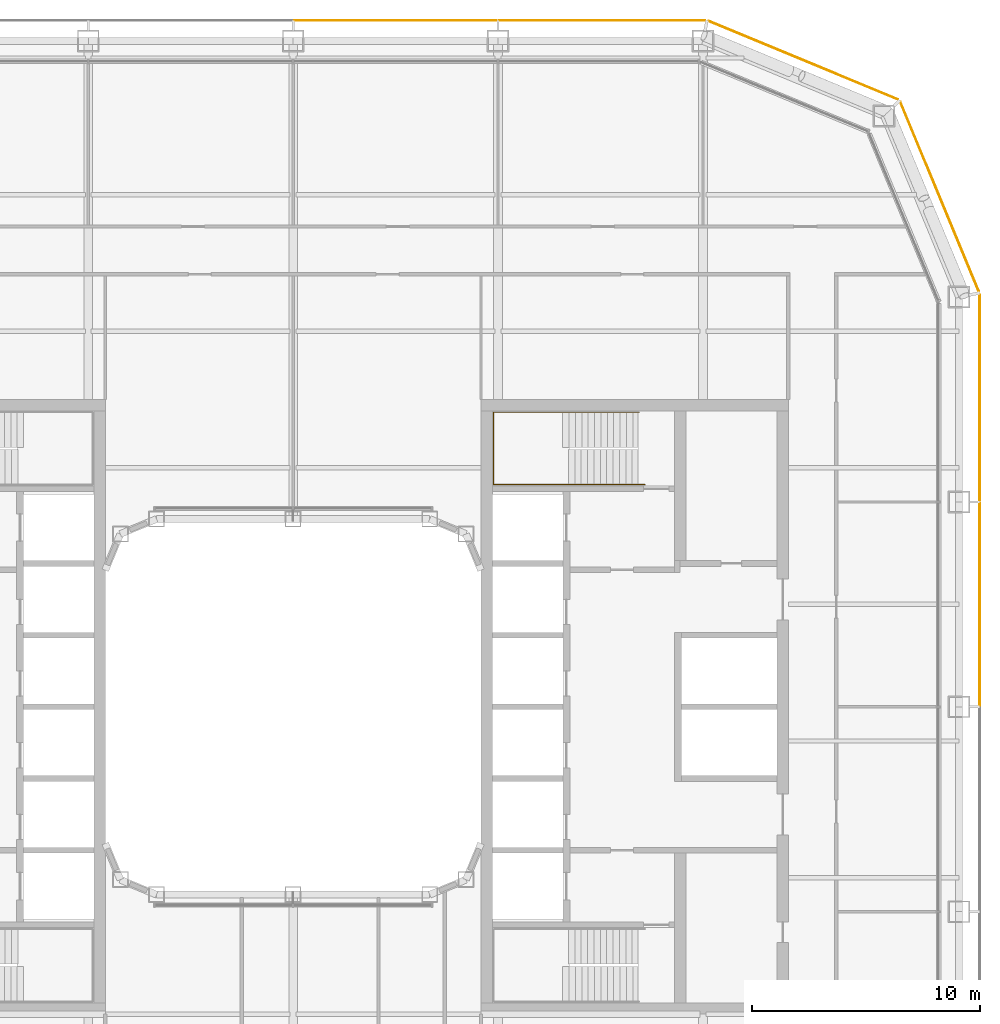
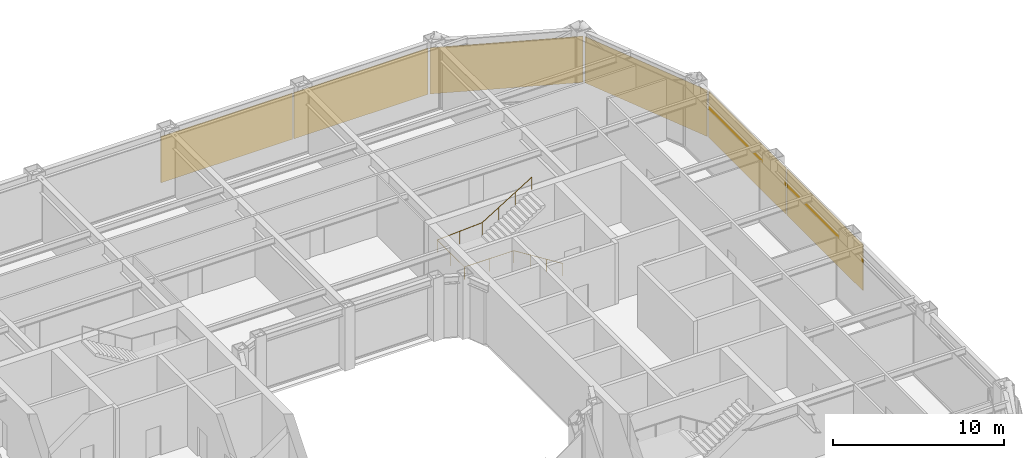
# One storey, part 21 of 21: 6 coverings, 1 railing.
"""IFC4 building model written with IfcOpenShell, lengths in metres."""

from ifc_helpers import new_model, si_unit, direction, frame, origin, origin_2d, place, context, subcontext, project, spatial, rectangle, circle, extrude, material, layer, layer_set, type_object, element, save


model = new_model("IFC4")

# Units and contexts
model_context = context("Model", 3, precision=1e-05, world=origin(), true_north=direction((0.0, 1.0)))
body_context = subcontext(model_context, "Body", "Model", "MODEL_VIEW")
ifc_project = project(units=[si_unit("LENGTHUNIT", "METRE"), si_unit("AREAUNIT", "SQUARE_METRE"), si_unit("VOLUMEUNIT", "CUBIC_METRE"), si_unit("PLANEANGLEUNIT", "RADIAN"), si_unit("MASSUNIT", "GRAM", prefix="KILO")], contexts=[model_context])

# Site, building, storey
site_placement = place(None, origin())
site = spatial("IfcSite", under=ifc_project, at=site_placement, CompositionType="ELEMENT")
building_placement = place(site_placement, origin())
building = spatial("IfcBuilding", under=site, at=building_placement, Name="Siwar Civic Tower", CompositionType="ELEMENT")
storey_placement = place(building_placement, frame((0.0, 0.0, 140.699951171875)))
storey = spatial("IfcBuildingStorey", under=building, at=storey_placement, Name="L30", CompositionType="ELEMENT", Elevation=140.699951171875)

# Railing
ifc_material_1 = material(Name="Stainless steel", Category="steel")
railing_type = type_object("IfcRailingType", Name="CORE-STAIR-HANDRAIL", PredefinedType="HANDRAIL", material=ifc_material_1)
railing_placement = place(storey_placement, frame((15.449951171875, 9.758056640625, 0.173095703125)))
element("IfcRailing", 1, at=railing_placement, inside=storey, type_object=railing_type, Name="Stair handrail ST3", PredefinedType="HANDRAIL", context=body_context, shape_type="SweptSolid", body=[
    extrude(circle(Radius=0.02001953125, at=origin_2d()), frame((0.0, 0.0, 0.8798828125), z_axis=(-0.847063342986, 0.0, 0.531491950051), x_axis=(0.0, -1.0, 0.0)), (0.0, 0.0, 1.0), 3.90771484375),
    extrude(circle(Radius=0.02001953125, at=origin_2d()), frame((-3.31005859375, 0.0, 2.956787109375), z_axis=(-1.0, 0.0, 0.0), x_axis=(0.0, -1.0, 0.0)), (0.0, 0.0, 1.0), 3.331787109375),
    extrude(circle(Radius=0.02001953125, at=origin_2d()), frame((-6.641845703125, 0.0, 2.956787109375), z_axis=(0.0, 1.0, 0.0), x_axis=(-1.0, 0.0, 0.0)), (0.0, 0.0, 1.0), 3.183837890625),
    extrude(circle(Radius=0.02001953125, at=origin_2d()), frame((-6.641845703125, 3.183837890625, 2.956787109375), z_axis=(0.99837434197, 0.0, 0.056997134106), x_axis=(0.0, 1.0, 0.0)), (0.0, 0.0, 1.0), 3.036865234375),
    extrude(circle(Radius=0.02001953125, at=origin_2d()), frame((-3.60986328125, 3.183837890625, 3.1298828125), z_axis=(0.850606129759, 0.0, 0.525803396734), x_axis=(0.0, 1.0, 0.0)), (0.0, 0.0, 1.0), 3.949951171875),
    extrude(circle(Radius=0.02001953125, at=origin_2d()), origin(), (0.0, 0.0, 1.0), 0.85986328125),
    extrude(circle(Radius=0.02001953125, at=origin_2d()), frame((-1.103271484375, 0.0, 0.6923828125)), (0.0, 0.0, 1.0), 0.85986328125),
    extrude(circle(Radius=0.02001953125, at=origin_2d()), frame((-2.206787109375, 0.0, 1.384521484375)), (0.0, 0.0, 1.0), 0.85986328125),
    extrude(circle(Radius=0.02001953125, at=origin_2d()), frame((-3.31005859375, 0.0, 2.076904296875)), (0.0, 0.0, 1.0), 0.85986328125),
    extrude(circle(Radius=0.02001953125, at=origin_2d()), frame((-4.97607421875, 0.0, 2.076904296875)), (0.0, 0.0, 1.0), 0.85986328125),
    extrude(circle(Radius=0.02001953125, at=origin_2d()), frame((-6.641845703125, 0.0, 2.076904296875)), (0.0, 0.0, 1.0), 0.85986328125),
    extrude(circle(Radius=0.02001953125, at=origin_2d()), frame((-6.641845703125, 1.591796875, 2.076904296875)), (0.0, 0.0, 1.0), 0.85986328125),
    extrude(circle(Radius=0.02001953125, at=origin_2d()), frame((-6.641845703125, 3.183837890625, 2.076904296875)), (0.0, 0.0, 1.0), 0.85986328125),
    extrude(circle(Radius=0.02001953125, at=origin_2d()), frame((-5.1259765625, 3.183837890625, 2.16357421875)), (0.0, 0.0, 1.0), 0.85986328125),
    extrude(circle(Radius=0.02001953125, at=origin_2d()), frame((-3.60986328125, 3.183837890625, 2.25)), (0.0, 0.0, 1.0), 0.85986328125),
    extrude(circle(Radius=0.02001953125, at=origin_2d()), frame((-2.489990234375, 3.183837890625, 2.9423828125)), (0.0, 0.0, 1.0), 0.85986328125),
    extrude(circle(Radius=0.02001953125, at=origin_2d()), frame((-1.369873046875, 3.183837890625, 3.634521484375)), (0.0, 0.0, 1.0), 0.85986328125),
    extrude(circle(Radius=0.02001953125, at=origin_2d()), frame((-0.25, 3.183837890625, 4.326904296875)), (0.0, 0.0, 1.0), 0.85986328125),
])

# Coverings
ifc_material_2 = material(Name="Perforated aluminium cassette, pale metal", Category="aluminium")
ifc_layer = layer(ifc_material_2, 0.0400390625)
ifc_layer_set = layer_set([ifc_layer], Name="Perforated aluminium cassette, pale metal")
covering_type = type_object("IfcCoveringType", Name="ENV-OUTER SKIN OS-1", PredefinedType="CLADDING", material=ifc_layer_set)
covering_1_placement = place(storey_placement, frame((30.14990234375, 4.5, -0.14990234375), z_axis=(0.0, 0.0, 1.0), x_axis=(0.0, 1.0, 0.0)))
element("IfcCovering", 2, at=covering_1_placement, inside=storey, type_object=covering_type, Name="OUTER SKIN OS-1 E 3", PredefinedType="CLADDING", context=body_context, shape_type="SweptSolid", body=[
    extrude(rectangle(XDim=8.89990234375, YDim=0.0400390625, at=origin_2d()), origin(), (0.0, 0.0, 1.0), 3.300048828125),
])
covering_2_placement = place(storey_placement, frame((30.14990234375, 13.57958984375, -0.14990234375), z_axis=(0.0, 0.0, 1.0), x_axis=(0.0, 1.0, 0.0)))
element("IfcCovering", 3, at=covering_2_placement, inside=storey, type_object=covering_type, Name="OUTER SKIN OS-1 E 4", PredefinedType="CLADDING", context=body_context, shape_type="SweptSolid", body=[
    extrude(rectangle(XDim=9.05908203125, YDim=0.0400390625, at=origin_2d()), origin(), (0.0, 0.0, 1.0), 3.300048828125),
])
for number, where, z_axis, x_axis, name in (
    (4, (28.39697265625, 22.411376953125, -0.14990234375), (0.0, 0.0, 1.0), (-0.382683432365, 0.923879532511, 0.0), "OUTER SKIN OS-1 NE1 1"),
    (5, (22.411376953125, 28.39697265625, -0.14990234375), (0.0, 0.0, 1.0), (-0.923879532511, 0.382683432365, 0.0), "OUTER SKIN OS-1 NE2 1"),
):
    element("IfcCovering", number, at=place(storey_placement, frame(where, z_axis=z_axis, x_axis=x_axis)), inside=storey, type_object=covering_type, Name=name, PredefinedType="CLADDING", context=body_context, shape_type="SweptSolid", body=[
        extrude(rectangle(XDim=9.022216796875, YDim=0.0400390625, at=origin_2d()), origin(), (0.0, 0.0, 1.0), 3.300048828125),
    ])
covering_3_placement = place(storey_placement, frame((13.57958984375, 30.14990234375, -0.14990234375), z_axis=(0.0, 0.0, 1.0), x_axis=(-1.0, 0.0, 0.0)))
element("IfcCovering", 6, at=covering_3_placement, inside=storey, type_object=covering_type, Name="OUTER SKIN OS-1 N 1", PredefinedType="CLADDING", context=body_context, shape_type="SweptSolid", body=[
    extrude(rectangle(XDim=9.05908203125, YDim=0.0400390625, at=origin_2d()), origin(), (0.0, 0.0, 1.0), 3.300048828125),
])
covering_4_placement = place(storey_placement, frame((4.5, 30.14990234375, -0.14990234375), z_axis=(0.0, 0.0, 1.0), x_axis=(-1.0, 0.0, 0.0)))
element("IfcCovering", 7, at=covering_4_placement, inside=storey, type_object=covering_type, Name="OUTER SKIN OS-1 N 2", PredefinedType="CLADDING", context=body_context, shape_type="SweptSolid", body=[
    extrude(rectangle(XDim=8.89990234375, YDim=0.0400390625, at=origin_2d()), origin(), (0.0, 0.0, 1.0), 3.300048828125),
])

save(model, "model.ifc")
